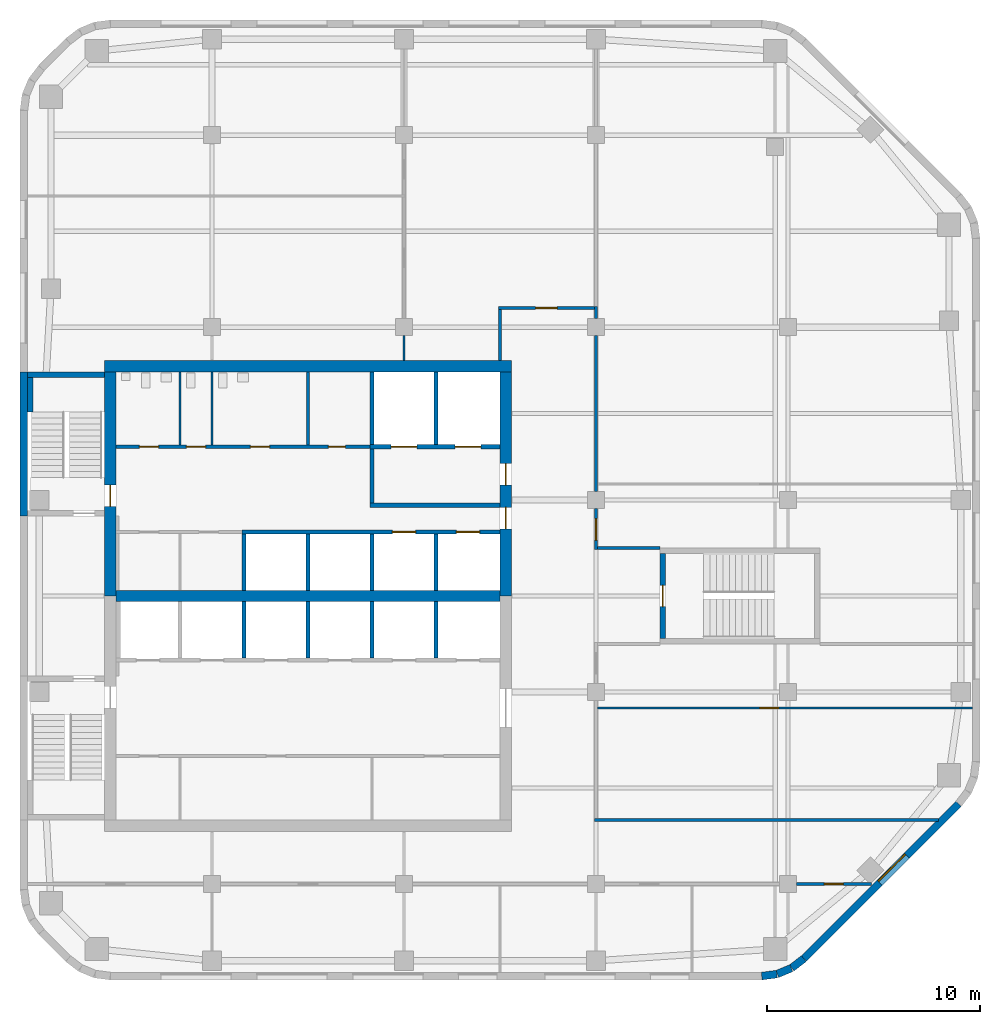
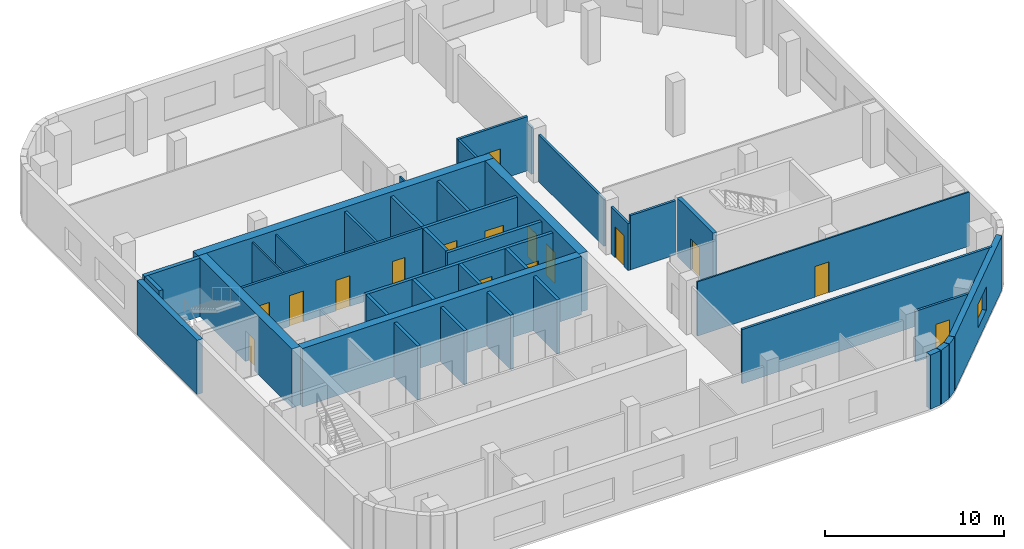
# One storey, part 4 of 8: 40 walls, 16 doors, 1 window, 17 openings.
"""IFC4 building model written with IfcOpenShell, lengths in metres."""

from ifc_helpers import new_model, si_unit, direction, frame, frame_2d, origin, place, context, subcontext, project, spatial, rectangle, extrude, material, layer, layer_set, type_object, element, fill, save


model = new_model("IFC4")

# Units and contexts
model_context = context("Model", 3, precision=1e-05, world=origin(), true_north=direction((0.0, 1.0)))
body_context = subcontext(model_context, "Body", "Model", "MODEL_VIEW")
ifc_project = project(units=[si_unit("LENGTHUNIT", "METRE"), si_unit("AREAUNIT", "SQUARE_METRE"), si_unit("VOLUMEUNIT", "CUBIC_METRE"), si_unit("PLANEANGLEUNIT", "RADIAN"), si_unit("MASSUNIT", "GRAM", prefix="KILO")], contexts=[model_context])

# Site, building, storey
site_placement = place(None, origin())
site = spatial("IfcSite", under=ifc_project, at=site_placement, CompositionType="ELEMENT")
building_placement = place(site_placement, origin())
building = spatial("IfcBuilding", under=site, at=building_placement, Name="Cinnabar Reach Civic Tower", CompositionType="ELEMENT")
storey_placement = place(building_placement, frame((0.0, 0.0, 238.0)))
storey = spatial("IfcBuildingStorey", under=building, at=storey_placement, Name="L57", CompositionType="ELEMENT", Elevation=238.0)

# Walls
ifc_material_1 = material(Name="Facing brick with insulated backing", Category="masonry")
ifc_layer_1 = layer(ifc_material_1, 0.36)
ifc_layer_set_1 = layer_set([ifc_layer_1], Name="Brick corner wall")
wall_type_1 = type_object("IfcWallType", Name="Brick corner wall", PredefinedType="STANDARD", material=ifc_layer_set_1)
for number, where, z_axis, x_axis, name in (
    (1, (34.7686, 13.683, 0.0), (0.0, 0.0, 1.0), (0.99144092581, 0.13055608231, 0.0), "Brick corner wall"),
    (2, (35.4973, 13.7819, 0.0), (0.0, 0.0, 1.0), (0.923871547278, 0.382702709855, 0.0), "Brick corner wall"),
):
    element("IfcWall", number, at=place(storey_placement, frame(where, z_axis=z_axis, x_axis=x_axis)), inside=storey, type_object=wall_type_1, Name=name, PredefinedType="STANDARD", context=body_context, shape_type="SweptSolid", body=[
        extrude(rectangle(XDim=0.7131, YDim=0.36, at=frame_2d((0.3565, 0.0))), origin(), (0.0, 0.0, 1.0), 3.7),
    ])
wall_1_placement = place(storey_placement, frame((36.1755, 14.066, 0.0), z_axis=(0.0, 0.0, 1.0), x_axis=(0.793321924995, 0.608802368033, 0.0)))
element("IfcWall", 3, at=wall_1_placement, inside=storey, type_object=wall_type_1, Name="Brick corner wall", PredefinedType="STANDARD", context=body_context, shape_type="SweptSolid", body=[
    extrude(rectangle(XDim=0.7132, YDim=0.36, at=frame_2d((0.3566, 0.0))), origin(), (0.0, 0.0, 1.0), 3.7),
])

# Wall, opening, window
ifc_layer_2 = layer(ifc_material_1, 0.36)
ifc_layer_set_2 = layer_set([ifc_layer_2], Name="Brick pier and spandrel wall")
wall_type_2 = type_object("IfcWallType", Name="Brick pier and spandrel wall", PredefinedType="STANDARD", material=ifc_layer_set_2)
wall_2_placement = place(storey_placement, frame((36.7514, 14.506, 0.0), z_axis=(0.0, 0.0, 1.0), x_axis=(0.707106781187, 0.707106781187, 0.0)))
wall_2 = element("IfcWall", 4, at=wall_2_placement, inside=storey, type_object=wall_type_2, Name="Brick facade wall", PredefinedType="STANDARD", context=body_context, shape_type="SweptSolid", body=[
    extrude(rectangle(XDim=10.2426, YDim=0.36, at=frame_2d((5.1213, 0.0))), origin(), (0.0, 0.0, 1.0), 3.7),
])
opening_1_placement = place(wall_2_placement, frame((5.0213, 0.0, 0.9)))
opening_1 = element("IfcOpeningElement", 5, at=opening_1_placement, cuts=wall_2, Name="Opening W2166", PredefinedType="OPENING", context=body_context, shape_type="SweptSolid", body=[
    extrude(rectangle(XDim=1.8, YDim=1.6, at=frame_2d((0.9, 0.8))), frame((0.0, 0.19, 0.0), z_axis=(0.0, -1.0, 0.0), x_axis=(1.0, 0.0, 0.0)), (0.0, 0.0, 1.0), 0.38),
])
ifc_material_2 = material(Name="Clear double glazing in aluminium frame", Category="aluminium")
window_type = type_object("IfcWindowType", Name="Deep-set window D", PartitioningType="SINGLE_PANEL", PredefinedType="WINDOW", material=ifc_material_2)
window_placement = place(opening_1_placement, origin())
window = element("IfcWindow", 6, at=window_placement, inside=storey, type_object=window_type, Name="Window southeast face", OverallHeight=1.6, OverallWidth=1.8, PartitioningType="SINGLE_PANEL", PredefinedType="WINDOW", context=body_context, shape_type="SweptSolid", body=[
    extrude(rectangle(XDim=1.8, YDim=1.6, at=frame_2d((0.9, 0.8))), frame((0.0, 0.13, 0.0), z_axis=(0.0, -1.0, 0.0), x_axis=(1.0, 0.0, 0.0)), (0.0, 0.0, 1.0), 0.06),
])
fill(opening_1, window)

# Walls
wall_3_placement = place(storey_placement, frame((0.18, 42.0, 0.0), z_axis=(0.0, 0.0, 1.0), x_axis=(0.0, -1.0, 0.0)))
element("IfcWall", 7, at=wall_3_placement, inside=storey, type_object=wall_type_2, Name="Brick facade wall", PredefinedType="STANDARD", context=body_context, shape_type="SweptSolid", body=[
    extrude(rectangle(XDim=6.75, YDim=0.36, at=frame_2d((3.375, 0.0))), origin(), (0.0, 0.0, 1.0), 3.7),
])
ifc_material_3 = material(Name="Concrete C60", Category="concrete")
ifc_layer_3 = layer(ifc_material_3, 0.5)
ifc_layer_set_3 = layer_set([ifc_layer_3], Name="Core wall 500 EI 180")
wall_type_3 = type_object("IfcWallType", Name="Core wall 500 EI 180", PredefinedType="SOLIDWALL", material=ifc_layer_set_3)
wall_4_placement = place(storey_placement, frame((4.5, 31.5, 0.0), z_axis=(0.0, 0.0, 1.0), x_axis=(1.0, 0.0, 0.0)))
element("IfcWall", 8, at=wall_4_placement, inside=storey, type_object=wall_type_3, Name="Core spine wall T1 L57", PredefinedType="SOLIDWALL", context=body_context, shape_type="SweptSolid", body=[
    extrude(rectangle(XDim=18.0, YDim=0.5, at=frame_2d((9.0, 0.0))), origin(), (0.0, 0.0, 1.0), 4.0),
])
ifc_layer_4 = layer(ifc_material_3, 0.55)
ifc_layer_set_4 = layer_set([ifc_layer_4], Name="Core wall 550 EI 180")
wall_type_4 = type_object("IfcWallType", Name="Core wall 550 EI 180", PredefinedType="SOLIDWALL", material=ifc_layer_set_4)
wall_5_placement = place(storey_placement, frame((23.05, 42.275, 0.0), z_axis=(0.0, 0.0, 1.0), x_axis=(-1.0, 0.0, 0.0)))
element("IfcWall", 9, at=wall_5_placement, inside=storey, type_object=wall_type_4, Name="Core wall T1 L57 N", PredefinedType="SOLIDWALL", context=body_context, shape_type="SweptSolid", body=[
    extrude(rectangle(XDim=19.1, YDim=0.55, at=frame_2d((9.55, 0.0))), origin(), (0.0, 0.0, 1.0), 4.0),
])

# Wall, openings, doors
wall_6_placement = place(storey_placement, frame((22.775, 31.5, 0.0), z_axis=(0.0, 0.0, 1.0), x_axis=(0.0, 1.0, 0.0)))
wall_6 = element("IfcWall", 10, at=wall_6_placement, inside=storey, type_object=wall_type_4, Name="Core wall T1 L57 E2", PredefinedType="SOLIDWALL", context=body_context, shape_type="SweptSolid", body=[
    extrude(rectangle(XDim=10.5, YDim=0.55, at=frame_2d((5.25, 0.0))), origin(), (0.0, 0.0, 1.0), 4.0),
])
opening_2_placement = place(wall_6_placement, frame((3.15, 0.0, 0.0)))
opening_2 = element("IfcOpeningElement", 11, at=opening_2_placement, cuts=wall_6, Name="Opening D5314", PredefinedType="OPENING", context=body_context, shape_type="SweptSolid", body=[
    extrude(rectangle(XDim=1.0, YDim=2.1, at=frame_2d((0.5, 1.05))), frame((0.0, 0.285, 0.0), z_axis=(0.0, -1.0, 0.0), x_axis=(1.0, 0.0, 0.0)), (0.0, 0.0, 1.0), 0.57),
])
opening_3_placement = place(wall_6_placement, frame((5.2, 0.0, 0.0)))
opening_3 = element("IfcOpeningElement", 12, at=opening_3_placement, cuts=wall_6, Name="Opening D5315", PredefinedType="OPENING", context=body_context, shape_type="SweptSolid", body=[
    extrude(rectangle(XDim=1.0, YDim=2.1, at=frame_2d((0.5, 1.05))), frame((0.0, 0.285, 0.0), z_axis=(0.0, -1.0, 0.0), x_axis=(1.0, 0.0, 0.0)), (0.0, 0.0, 1.0), 0.57),
])
ifc_material_4 = material(Name="Timber door leaf in steel frame", Category="steel")
door_type_1 = type_object("IfcDoorType", Name="Firefighting lobby door 1000 x 2100 T1", OperationType="SINGLE_SWING_LEFT", PredefinedType="DOOR", material=ifc_material_4)
door_1_placement = place(opening_3_placement, origin())
door_1 = element("IfcDoor", 13, at=door_1_placement, inside=storey, type_object=door_type_1, Name="Door D5315", OperationType="SINGLE_SWING_RIGHT", OverallHeight=2.1, OverallWidth=1.0, PredefinedType="DOOR", context=body_context, shape_type="SweptSolid", body=[
    extrude(rectangle(XDim=1.0, YDim=2.1, at=frame_2d((0.5, 1.05))), frame((0.0, 0.025, 0.0), z_axis=(0.0, -1.0, 0.0), x_axis=(1.0, 0.0, 0.0)), (0.0, 0.0, 1.0), 0.05),
])
fill(opening_3, door_1)
door_type_2 = type_object("IfcDoorType", Name="Single swing door 1000 x 2100 T1", OperationType="SINGLE_SWING_LEFT", PredefinedType="DOOR", material=ifc_material_4)
door_2_placement = place(opening_2_placement, origin())
door_2 = element("IfcDoor", 14, at=door_2_placement, inside=storey, type_object=door_type_2, Name="Door D5314", OperationType="SINGLE_SWING_RIGHT", OverallHeight=2.1, OverallWidth=1.0, PredefinedType="DOOR", context=body_context, shape_type="SweptSolid", body=[
    extrude(rectangle(XDim=1.0, YDim=2.1, at=frame_2d((0.5, 1.05))), frame((0.0, 0.025, 0.0), z_axis=(0.0, -1.0, 0.0), x_axis=(1.0, 0.0, 0.0)), (0.0, 0.0, 1.0), 0.05),
])
fill(opening_2, door_2)

# Wall, opening, door
wall_7_placement = place(storey_placement, frame((4.225, 42.0, 0.0), z_axis=(0.0, 0.0, 1.0), x_axis=(0.0, -1.0, 0.0)))
wall_7 = element("IfcWall", 15, at=wall_7_placement, inside=storey, type_object=wall_type_4, Name="Core wall T1 L57 W", PredefinedType="SOLIDWALL", context=body_context, shape_type="SweptSolid", body=[
    extrude(rectangle(XDim=10.5, YDim=0.55, at=frame_2d((5.25, 0.0))), origin(), (0.0, 0.0, 1.0), 4.0),
])
opening_4_placement = place(wall_7_placement, frame((5.3, 0.0, 0.0)))
opening_4 = element("IfcOpeningElement", 16, at=opening_4_placement, cuts=wall_7, Name="Opening D5301", PredefinedType="OPENING", context=body_context, shape_type="SweptSolid", body=[
    extrude(rectangle(XDim=1.0, YDim=2.1, at=frame_2d((0.5, 1.05))), frame((0.0, 0.285, 0.0), z_axis=(0.0, -1.0, 0.0), x_axis=(1.0, 0.0, 0.0)), (0.0, 0.0, 1.0), 0.57),
])
door_type_3 = type_object("IfcDoorType", Name="Stair door 1000 x 2100 T1", OperationType="SINGLE_SWING_LEFT", PredefinedType="DOOR", material=ifc_material_4)
door_3_placement = place(opening_4_placement, frame((1.0, 0.0, 0.0), z_axis=(0.0, 0.0, 1.0), x_axis=(-1.0, 0.0, 0.0)))
door_3 = element("IfcDoor", 17, at=door_3_placement, inside=storey, type_object=door_type_3, Name="Door D5301", OperationType="SINGLE_SWING_LEFT", OverallHeight=2.1, OverallWidth=1.0, PredefinedType="DOOR", context=body_context, shape_type="SweptSolid", body=[
    extrude(rectangle(XDim=1.0, YDim=2.1, at=frame_2d((0.5, 1.05))), frame((0.0, 0.025, 0.0), z_axis=(0.0, -1.0, 0.0), x_axis=(1.0, 0.0, 0.0)), (0.0, 0.0, 1.0), 0.05),
])
fill(opening_4, door_3)

ifc_material_5 = material(Name="Gypsum board on steel studs, double layer", Category="steel")
ifc_layer_5 = layer(ifc_material_5, 0.15)
ifc_layer_set_5 = layer_set([ifc_layer_5], Name="Corridor wall 150 T1")
wall_type_5 = type_object("IfcWallType", Name="Corridor wall 150 T1", PredefinedType="PARTITIONING", material=ifc_layer_set_5)
wall_8_placement = place(storey_placement, frame((36.4, 18.0, 0.0), z_axis=(0.0, 0.0, 1.0), x_axis=(1.0, 0.0, 0.0)))
wall_8 = element("IfcWall", 18, at=wall_8_placement, inside=storey, type_object=wall_type_5, Name="Corridor wall 18", PredefinedType="PARTITIONING", context=body_context, shape_type="SweptSolid", body=[
    extrude(rectangle(XDim=3.516, YDim=0.15, at=frame_2d((1.758, 0.0))), origin(), (0.0, 0.0, 1.0), 3.452),
])
opening_5_placement = place(wall_8_placement, frame((1.3, 0.0, 0.0)))
opening_5 = element("IfcOpeningElement", 19, at=opening_5_placement, cuts=wall_8, Name="Opening D5333", PredefinedType="OPENING", context=body_context, shape_type="SweptSolid", body=[
    extrude(rectangle(XDim=0.9, YDim=2.1, at=frame_2d((0.45, 1.05))), frame((0.0, 0.085, 0.0), z_axis=(0.0, -1.0, 0.0), x_axis=(1.0, 0.0, 0.0)), (0.0, 0.0, 1.0), 0.17),
])
door_type_4 = type_object("IfcDoorType", Name="Single swing door 900 x 2100 corridor T1", OperationType="SINGLE_SWING_LEFT", PredefinedType="DOOR", material=ifc_material_4)
door_4_placement = place(opening_5_placement, frame((0.9, 0.0, 0.0), z_axis=(0.0, 0.0, 1.0), x_axis=(-1.0, 0.0, 0.0)))
door_4 = element("IfcDoor", 20, at=door_4_placement, inside=storey, type_object=door_type_4, Name="Door D5333", OperationType="SINGLE_SWING_RIGHT", OverallHeight=2.1, OverallWidth=0.9, PredefinedType="DOOR", context=body_context, shape_type="SweptSolid", body=[
    extrude(rectangle(XDim=0.9, YDim=2.1, at=frame_2d((0.45, 1.05))), frame((0.0, 0.025, 0.0), z_axis=(0.0, -1.0, 0.0), x_axis=(1.0, 0.0, 0.0)), (0.0, 0.0, 1.0), 0.05),
])
fill(opening_5, door_4)

# Wall
wall_9_placement = place(storey_placement, frame((26.925, 21.0, 0.0), z_axis=(0.0, 0.0, 1.0), x_axis=(1.0, 0.0, 0.0)))
element("IfcWall", 21, at=wall_9_placement, inside=storey, type_object=wall_type_5, Name="Corridor wall 24", PredefinedType="PARTITIONING", context=body_context, shape_type="SweptSolid", body=[
    extrude(rectangle(XDim=16.1409, YDim=0.15, at=frame_2d((8.0704, 0.0))), origin(), (0.0, 0.0, 1.0), 3.7),
])

# Wall, openings, doors
wall_10_placement = place(storey_placement, frame((4.5, 38.5, 0.0), z_axis=(0.0, 0.0, 1.0), x_axis=(1.0, 0.0, 0.0)))
wall_10 = element("IfcWall", 22, at=wall_10_placement, inside=storey, type_object=wall_type_5, Name="Corridor wall 25", PredefinedType="PARTITIONING", context=body_context, shape_type="SweptSolid", body=[
    extrude(rectangle(XDim=11.9, YDim=0.15, at=frame_2d((5.95, 0.0))), origin(), (0.0, 0.0, 1.0), 3.7),
])
opening_6_placement = place(wall_10_placement, frame((1.1, 0.0, 0.0)))
opening_6 = element("IfcOpeningElement", 23, at=opening_6_placement, cuts=wall_10, Name="Opening D5322", PredefinedType="OPENING", context=body_context, shape_type="SweptSolid", body=[
    extrude(rectangle(XDim=0.9, YDim=2.1, at=frame_2d((0.45, 1.05))), frame((0.0, 0.085, 0.0), z_axis=(0.0, -1.0, 0.0), x_axis=(1.0, 0.0, 0.0)), (0.0, 0.0, 1.0), 0.17),
])
opening_7_placement = place(wall_10_placement, frame((3.3, 0.0, 0.0)))
opening_7 = element("IfcOpeningElement", 24, at=opening_7_placement, cuts=wall_10, Name="Opening D5323", PredefinedType="OPENING", context=body_context, shape_type="SweptSolid", body=[
    extrude(rectangle(XDim=0.9, YDim=2.1, at=frame_2d((0.45, 1.05))), frame((0.0, 0.085, 0.0), z_axis=(0.0, -1.0, 0.0), x_axis=(1.0, 0.0, 0.0)), (0.0, 0.0, 1.0), 0.17),
])
opening_8_placement = place(wall_10_placement, frame((6.3, 0.0, 0.0)))
opening_8 = element("IfcOpeningElement", 25, at=opening_8_placement, cuts=wall_10, Name="Opening D5324", PredefinedType="OPENING", context=body_context, shape_type="SweptSolid", body=[
    extrude(rectangle(XDim=0.9, YDim=2.1, at=frame_2d((0.45, 1.05))), frame((0.0, 0.085, 0.0), z_axis=(0.0, -1.0, 0.0), x_axis=(1.0, 0.0, 0.0)), (0.0, 0.0, 1.0), 0.17),
])
opening_9_placement = place(wall_10_placement, frame((9.95, 0.0, 0.0)))
opening_9 = element("IfcOpeningElement", 26, at=opening_9_placement, cuts=wall_10, Name="Opening D5325", PredefinedType="OPENING", context=body_context, shape_type="SweptSolid", body=[
    extrude(rectangle(XDim=0.8, YDim=2.1, at=frame_2d((0.4, 1.05))), frame((0.0, 0.085, 0.0), z_axis=(0.0, -1.0, 0.0), x_axis=(1.0, 0.0, 0.0)), (0.0, 0.0, 1.0), 0.17),
])
door_type_5 = type_object("IfcDoorType", Name="Riser access door 800 x 2100 T1", OperationType="SINGLE_SWING_LEFT", PredefinedType="DOOR", material=ifc_material_4)
door_5_placement = place(opening_9_placement, origin())
door_5 = element("IfcDoor", 27, at=door_5_placement, inside=storey, type_object=door_type_5, Name="Door D5325", OperationType="SINGLE_SWING_LEFT", OverallHeight=2.1, OverallWidth=0.8, PredefinedType="DOOR", context=body_context, shape_type="SweptSolid", body=[
    extrude(rectangle(XDim=0.8, YDim=2.1, at=frame_2d((0.4, 1.05))), frame((0.0, 0.025, 0.0), z_axis=(0.0, -1.0, 0.0), x_axis=(1.0, 0.0, 0.0)), (0.0, 0.0, 1.0), 0.05),
])
fill(opening_9, door_5)
door_6_placement = place(opening_6_placement, origin())
door_6 = element("IfcDoor", 28, at=door_6_placement, inside=storey, type_object=door_type_4, Name="Door D5322", OperationType="SINGLE_SWING_RIGHT", OverallHeight=2.1, OverallWidth=0.9, PredefinedType="DOOR", context=body_context, shape_type="SweptSolid", body=[
    extrude(rectangle(XDim=0.9, YDim=2.1, at=frame_2d((0.45, 1.05))), frame((0.0, 0.025, 0.0), z_axis=(0.0, -1.0, 0.0), x_axis=(1.0, 0.0, 0.0)), (0.0, 0.0, 1.0), 0.05),
])
fill(opening_6, door_6)
door_7_placement = place(opening_7_placement, origin())
door_7 = element("IfcDoor", 29, at=door_7_placement, inside=storey, type_object=door_type_4, Name="Door D5323", OperationType="SINGLE_SWING_RIGHT", OverallHeight=2.1, OverallWidth=0.9, PredefinedType="DOOR", context=body_context, shape_type="SweptSolid", body=[
    extrude(rectangle(XDim=0.9, YDim=2.1, at=frame_2d((0.45, 1.05))), frame((0.0, 0.025, 0.0), z_axis=(0.0, -1.0, 0.0), x_axis=(1.0, 0.0, 0.0)), (0.0, 0.0, 1.0), 0.05),
])
fill(opening_7, door_7)
door_8_placement = place(opening_8_placement, origin())
door_8 = element("IfcDoor", 30, at=door_8_placement, inside=storey, type_object=door_type_4, Name="Door D5324", OperationType="SINGLE_SWING_LEFT", OverallHeight=2.1, OverallWidth=0.9, PredefinedType="DOOR", context=body_context, shape_type="SweptSolid", body=[
    extrude(rectangle(XDim=0.9, YDim=2.1, at=frame_2d((0.45, 1.05))), frame((0.0, 0.025, 0.0), z_axis=(0.0, -1.0, 0.0), x_axis=(1.0, 0.0, 0.0)), (0.0, 0.0, 1.0), 0.05),
])
fill(opening_8, door_8)

# Wall, opening, door
wall_11_placement = place(storey_placement, frame((27.0, 33.675, 0.0), z_axis=(0.0, 0.0, 1.0), x_axis=(0.0, 1.0, 0.0)))
wall_11 = element("IfcWall", 31, at=wall_11_placement, inside=storey, type_object=wall_type_5, Name="Corridor wall 26", PredefinedType="PARTITIONING", context=body_context, shape_type="SweptSolid", body=[
    extrude(rectangle(XDim=1.925, YDim=0.15, at=frame_2d((0.9625, 0.0))), origin(), (0.0, 0.0, 1.0), 3.2),
])
opening_10_placement = place(wall_11_placement, frame((0.45, 0.0, 0.0)))
opening_10 = element("IfcOpeningElement", 32, at=opening_10_placement, cuts=wall_11, Name="Opening D5326", PredefinedType="OPENING", context=body_context, shape_type="SweptSolid", body=[
    extrude(rectangle(XDim=1.0, YDim=2.1, at=frame_2d((0.5, 1.05))), frame((0.0, 0.085, 0.0), z_axis=(0.0, -1.0, 0.0), x_axis=(1.0, 0.0, 0.0)), (0.0, 0.0, 1.0), 0.17),
])
door_type_6 = type_object("IfcDoorType", Name="Tenancy entrance door 1000 x 2100 T1", OperationType="SINGLE_SWING_LEFT", PredefinedType="DOOR", material=ifc_material_4)
door_9_placement = place(opening_10_placement, frame((1.0, 0.0, 0.0), z_axis=(0.0, 0.0, 1.0), x_axis=(-1.0, 0.0, 0.0)))
door_9 = element("IfcDoor", 33, at=door_9_placement, inside=storey, type_object=door_type_6, Name="Door D5326", OperationType="SINGLE_SWING_RIGHT", OverallHeight=2.1, OverallWidth=1.0, PredefinedType="DOOR", context=body_context, shape_type="SweptSolid", body=[
    extrude(rectangle(XDim=1.0, YDim=2.1, at=frame_2d((0.5, 1.05))), frame((0.0, 0.025, 0.0), z_axis=(0.0, -1.0, 0.0), x_axis=(1.0, 0.0, 0.0)), (0.0, 0.0, 1.0), 0.05),
])
fill(opening_10, door_9)

# Walls
wall_12_placement = place(storey_placement, frame((27.0, 36.4, 0.0), z_axis=(0.0, 0.0, 1.0), x_axis=(0.0, 1.0, 0.0)))
element("IfcWall", 34, at=wall_12_placement, inside=storey, type_object=wall_type_5, Name="Corridor wall 27", PredefinedType="PARTITIONING", context=body_context, shape_type="SweptSolid", body=[
    extrude(rectangle(XDim=7.3, YDim=0.15, at=frame_2d((3.65, 0.0))), origin(), (0.0, 0.0, 1.0), 3.2),
])
wall_13_placement = place(storey_placement, frame((27.0, 44.5, 0.0), z_axis=(0.0, 0.0, 1.0), x_axis=(0.0, 1.0, 0.0)))
element("IfcWall", 35, at=wall_13_placement, inside=storey, type_object=wall_type_5, Name="Corridor wall 28", PredefinedType="PARTITIONING", context=body_context, shape_type="SweptSolid", body=[
    extrude(rectangle(XDim=0.575, YDim=0.15, at=frame_2d((0.2875, 0.0))), origin(), (0.0, 0.0, 1.0), 3.2),
])

# Wall, opening, door
wall_14_placement = place(storey_placement, frame((22.425, 45.0, 0.0), z_axis=(0.0, 0.0, 1.0), x_axis=(1.0, 0.0, 0.0)))
wall_14 = element("IfcWall", 36, at=wall_14_placement, inside=storey, type_object=wall_type_5, Name="Corridor wall 32", PredefinedType="PARTITIONING", context=body_context, shape_type="SweptSolid", body=[
    extrude(rectangle(XDim=4.5, YDim=0.15, at=frame_2d((2.25, 0.0))), origin(), (0.0, 0.0, 1.0), 3.7),
])
opening_11_placement = place(wall_14_placement, frame((1.75, 0.0, 0.0)))
opening_11 = element("IfcOpeningElement", 37, at=opening_11_placement, cuts=wall_14, Name="Opening D5334", PredefinedType="OPENING", context=body_context, shape_type="SweptSolid", body=[
    extrude(rectangle(XDim=1.0, YDim=2.1, at=frame_2d((0.5, 1.05))), frame((0.0, 0.085, 0.0), z_axis=(0.0, -1.0, 0.0), x_axis=(1.0, 0.0, 0.0)), (0.0, 0.0, 1.0), 0.17),
])
door_10_placement = place(opening_11_placement, origin())
door_10 = element("IfcDoor", 38, at=door_10_placement, inside=storey, type_object=door_type_6, Name="Door D5334", OperationType="SINGLE_SWING_RIGHT", OverallHeight=2.1, OverallWidth=1.0, PredefinedType="DOOR", context=body_context, shape_type="SweptSolid", body=[
    extrude(rectangle(XDim=1.0, YDim=2.1, at=frame_2d((0.5, 1.05))), frame((0.0, 0.025, 0.0), z_axis=(0.0, -1.0, 0.0), x_axis=(1.0, 0.0, 0.0)), (0.0, 0.0, 1.0), 0.05),
])
fill(opening_11, door_10)

# Walls
wall_15_placement = place(storey_placement, frame((27.075, 33.75, 0.0), z_axis=(0.0, 0.0, 1.0), x_axis=(1.0, 0.0, 0.0)))
element("IfcWall", 39, at=wall_15_placement, inside=storey, type_object=wall_type_5, Name="Corridor wall 36", PredefinedType="PARTITIONING", context=body_context, shape_type="SweptSolid", body=[
    extrude(rectangle(XDim=2.925, YDim=0.15, at=frame_2d((1.4625, 0.0))), origin(), (0.0, 0.0, 1.0), 3.7),
])
wall_16_placement = place(storey_placement, frame((22.5, 42.55, 0.0), z_axis=(0.0, 0.0, 1.0), x_axis=(0.0, 1.0, 0.0)))
element("IfcWall", 40, at=wall_16_placement, inside=storey, type_object=wall_type_5, Name="Corridor wall 37", PredefinedType="PARTITIONING", context=body_context, shape_type="SweptSolid", body=[
    extrude(rectangle(XDim=2.375, YDim=0.15, at=frame_2d((1.1875, 0.0))), origin(), (0.0, 0.0, 1.0), 3.7),
])

# Wall, openings, doors
ifc_material_6 = material(Name="Blockwork", Category="masonry")
ifc_layer_6 = layer(ifc_material_6, 0.2)
ifc_layer_set_6 = layer_set([ifc_layer_6], Name="Lift shaft wall 200 T1")
wall_type_6 = type_object("IfcWallType", Name="Lift shaft wall 200 T1", PredefinedType="PARTITIONING", material=ifc_layer_set_6)
wall_17_placement = place(storey_placement, frame((10.4, 34.5, 0.0), z_axis=(0.0, 0.0, 1.0), x_axis=(1.0, 0.0, 0.0)))
wall_17 = element("IfcWall", 41, at=wall_17_placement, inside=storey, type_object=wall_type_6, Name="Lift shaft wall 5", PredefinedType="PARTITIONING", context=body_context, shape_type="SweptSolid", body=[
    extrude(rectangle(XDim=12.1, YDim=0.2, at=frame_2d((6.05, 0.0))), origin(), (0.0, 0.0, 1.0), 3.7),
])
opening_12_placement = place(wall_17_placement, frame((7.05, 0.0, 0.0)))
opening_12 = element("IfcOpeningElement", 42, at=opening_12_placement, cuts=wall_17, Name="Opening D5309", PredefinedType="OPENING", context=body_context, shape_type="SweptSolid", body=[
    extrude(rectangle(XDim=1.1, YDim=2.1, at=frame_2d((0.55, 1.05))), frame((0.0, 0.11, 0.0), z_axis=(0.0, -1.0, 0.0), x_axis=(1.0, 0.0, 0.0)), (0.0, 0.0, 1.0), 0.22),
])
opening_13_placement = place(wall_17_placement, frame((10.05, 0.0, 0.0)))
opening_13 = element("IfcOpeningElement", 43, at=opening_13_placement, cuts=wall_17, Name="Opening D5310", PredefinedType="OPENING", context=body_context, shape_type="SweptSolid", body=[
    extrude(rectangle(XDim=1.1, YDim=2.1, at=frame_2d((0.55, 1.05))), frame((0.0, 0.11, 0.0), z_axis=(0.0, -1.0, 0.0), x_axis=(1.0, 0.0, 0.0)), (0.0, 0.0, 1.0), 0.22),
])
ifc_material_7 = material(Name="Stainless steel sliding door", Category="steel")
door_type_7 = type_object("IfcDoorType", Name="Lift landing door 1100 x 2100 T1", OperationType="SLIDING_TO_LEFT", PredefinedType="DOOR", material=ifc_material_7)
door_11_placement = place(opening_12_placement, origin())
door_11 = element("IfcDoor", 44, at=door_11_placement, inside=storey, type_object=door_type_7, Name="Lift landing door SV1 L57", OperationType="SLIDING_TO_LEFT", OverallHeight=2.1, OverallWidth=1.1, PredefinedType="DOOR", context=body_context, shape_type="SweptSolid", body=[
    extrude(rectangle(XDim=1.1, YDim=2.1, at=frame_2d((0.55, 1.05))), frame((0.0, 0.025, 0.0), z_axis=(0.0, -1.0, 0.0), x_axis=(1.0, 0.0, 0.0)), (0.0, 0.0, 1.0), 0.05),
])
fill(opening_12, door_11)
door_12_placement = place(opening_13_placement, origin())
door_12 = element("IfcDoor", 45, at=door_12_placement, inside=storey, type_object=door_type_7, Name="Lift landing door SV2 L57", OperationType="SLIDING_TO_LEFT", OverallHeight=2.1, OverallWidth=1.1, PredefinedType="DOOR", context=body_context, shape_type="SweptSolid", body=[
    extrude(rectangle(XDim=1.1, YDim=2.1, at=frame_2d((0.55, 1.05))), frame((0.0, 0.025, 0.0), z_axis=(0.0, -1.0, 0.0), x_axis=(1.0, 0.0, 0.0)), (0.0, 0.0, 1.0), 0.05),
])
fill(opening_13, door_12)

# Walls
for number, where, z_axis, x_axis, name in (
    (46, (10.5, 28.6, 0.0), (0.0, 0.0, 1.0), (0.0, 1.0, 0.0), "Lift shaft wall 6"),
    (47, (10.5, 31.75, 0.0), (0.0, 0.0, 1.0), (0.0, 1.0, 0.0), "Lift shaft wall 7"),
    (48, (13.5, 28.6, 0.0), (0.0, 0.0, 1.0), (0.0, 1.0, 0.0), "Lift shaft wall 8"),
    (49, (13.5, 31.75, 0.0), (0.0, 0.0, 1.0), (0.0, 1.0, 0.0), "Lift shaft wall 9"),
    (50, (16.5, 28.6, 0.0), (0.0, 0.0, 1.0), (0.0, 1.0, 0.0), "Lift shaft wall 10"),
    (51, (16.5, 31.75, 0.0), (0.0, 0.0, 1.0), (0.0, 1.0, 0.0), "Lift shaft wall 11"),
    (52, (19.5, 28.6, 0.0), (0.0, 0.0, 1.0), (0.0, 1.0, 0.0), "Lift shaft wall 12"),
    (53, (19.5, 31.75, 0.0), (0.0, 0.0, 1.0), (0.0, 1.0, 0.0), "Lift shaft wall 13"),
):
    element("IfcWall", number, at=place(storey_placement, frame(where, z_axis=z_axis, x_axis=x_axis)), inside=storey, type_object=wall_type_6, Name=name, PredefinedType="PARTITIONING", context=body_context, shape_type="SweptSolid", body=[
        extrude(rectangle(XDim=2.65, YDim=0.2, at=frame_2d((1.325, 0.0))), origin(), (0.0, 0.0, 1.0), 3.7),
    ])
for number, where, z_axis, x_axis, name in (
    (54, (16.5, 38.6, 0.0), (0.0, 0.0, 1.0), (0.0, 1.0, 0.0), "Lift shaft wall 14"),
    (55, (19.5, 38.6, 0.0), (0.0, 0.0, 1.0), (0.0, 1.0, 0.0), "Lift shaft wall 15"),
):
    element("IfcWall", number, at=place(storey_placement, frame(where, z_axis=z_axis, x_axis=x_axis)), inside=storey, type_object=wall_type_6, Name=name, PredefinedType="PARTITIONING", context=body_context, shape_type="SweptSolid", body=[
        extrude(rectangle(XDim=3.4, YDim=0.2, at=frame_2d((1.7, 0.0))), origin(), (0.0, 0.0, 1.0), 3.7),
    ])

# Wall, opening, door
ifc_material_8 = material(Name="Gypsum board on steel studs", Category="steel")
ifc_layer_7 = layer(ifc_material_8, 0.1)
ifc_layer_set_7 = layer_set([ifc_layer_7], Name="Partition wall 100 T1")
wall_type_7 = type_object("IfcWallType", Name="Partition wall 100 T1", PredefinedType="PARTITIONING", material=ifc_layer_set_7)
wall_18_placement = place(storey_placement, frame((27.075, 26.25, 0.0), z_axis=(0.0, 0.0, 1.0), x_axis=(1.0, 0.0, 0.0)))
wall_18 = element("IfcWall", 56, at=wall_18_placement, inside=storey, type_object=wall_type_7, Name="Partition wall 43", PredefinedType="PARTITIONING", context=body_context, shape_type="SweptSolid", body=[
    extrude(rectangle(XDim=17.565, YDim=0.1, at=frame_2d((8.7825, 0.0))), origin(), (0.0, 0.0, 1.0), 3.7),
])
opening_14_placement = place(wall_18_placement, frame((7.6, 0.0, 0.0)))
opening_14 = element("IfcOpeningElement", 57, at=opening_14_placement, cuts=wall_18, Name="Opening D5329", PredefinedType="OPENING", context=body_context, shape_type="SweptSolid", body=[
    extrude(rectangle(XDim=0.9, YDim=2.1, at=frame_2d((0.45, 1.05))), frame((0.0, 0.06, 0.0), z_axis=(0.0, -1.0, 0.0), x_axis=(1.0, 0.0, 0.0)), (0.0, 0.0, 1.0), 0.12),
])
door_type_8 = type_object("IfcDoorType", Name="Single swing door 900 x 2100 T1", OperationType="SINGLE_SWING_LEFT", PredefinedType="DOOR", material=ifc_material_4)
door_13_placement = place(opening_14_placement, frame((0.9, 0.0, 0.0), z_axis=(0.0, 0.0, 1.0), x_axis=(-1.0, 0.0, 0.0)))
door_13 = element("IfcDoor", 58, at=door_13_placement, inside=storey, type_object=door_type_8, Name="Door D5329", OperationType="SINGLE_SWING_LEFT", OverallHeight=2.1, OverallWidth=0.9, PredefinedType="DOOR", context=body_context, shape_type="SweptSolid", body=[
    extrude(rectangle(XDim=0.9, YDim=2.1, at=frame_2d((0.45, 1.05))), frame((0.0, 0.025, 0.0), z_axis=(0.0, -1.0, 0.0), x_axis=(1.0, 0.0, 0.0)), (0.0, 0.0, 1.0), 0.05),
])
fill(opening_14, door_13)

# Walls
wall_19_placement = place(storey_placement, frame((18.0, 42.55, 0.0), z_axis=(0.0, 0.0, 1.0), x_axis=(0.0, 1.0, 0.0)))
element("IfcWall", 59, at=wall_19_placement, inside=storey, type_object=wall_type_7, Name="Partition wall 46", PredefinedType="PARTITIONING", context=body_context, shape_type="SweptSolid", body=[
    extrude(rectangle(XDim=1.15, YDim=0.1, at=frame_2d((0.575, 0.0))), origin(), (0.0, 0.0, 1.0), 3.502),
])
for number, where, z_axis, x_axis, name in (
    (60, (7.5, 38.575, 0.0), (0.0, 0.0, 1.0), (0.0, 1.0, 0.0), "Partition wall 53"),
    (61, (9.0, 38.575, 0.0), (0.0, 0.0, 1.0), (0.0, 1.0, 0.0), "Partition wall 54"),
):
    element("IfcWall", number, at=place(storey_placement, frame(where, z_axis=z_axis, x_axis=x_axis)), inside=storey, type_object=wall_type_7, Name=name, PredefinedType="PARTITIONING", context=body_context, shape_type="SweptSolid", body=[
        extrude(rectangle(XDim=3.425, YDim=0.1, at=frame_2d((1.7125, 0.0))), origin(), (0.0, 0.0, 1.0), 3.7),
    ])
ifc_material_9 = material(Name="Concrete C40", Category="concrete")
ifc_layer_8 = layer(ifc_material_9, 0.2)
ifc_layer_set_8 = layer_set([ifc_layer_8], Name="Refuge compartment wall 200 T1")
wall_type_8 = type_object("IfcWallType", Name="Refuge compartment wall 200 T1", PredefinedType="PARTITIONING", material=ifc_layer_set_8)
wall_20_placement = place(storey_placement, frame((16.4, 35.75, 0.0), z_axis=(0.0, 0.0, 1.0), x_axis=(1.0, 0.0, 0.0)))
element("IfcWall", 62, at=wall_20_placement, inside=storey, type_object=wall_type_8, Name="Refuge compartment wall 1", PredefinedType="PARTITIONING", context=body_context, shape_type="SweptSolid", body=[
    extrude(rectangle(XDim=6.1, YDim=0.2, at=frame_2d((3.05, 0.0))), origin(), (0.0, 0.0, 1.0), 3.7),
])

# Wall, openings, doors
wall_21_placement = place(storey_placement, frame((16.4, 38.5, 0.0), z_axis=(0.0, 0.0, 1.0), x_axis=(1.0, 0.0, 0.0)))
wall_21 = element("IfcWall", 63, at=wall_21_placement, inside=storey, type_object=wall_type_8, Name="Refuge compartment wall 2", PredefinedType="PARTITIONING", context=body_context, shape_type="SweptSolid", body=[
    extrude(rectangle(XDim=6.1, YDim=0.2, at=frame_2d((3.05, 0.0))), origin(), (0.0, 0.0, 1.0), 3.7),
])
opening_15_placement = place(wall_21_placement, frame((1.0, 0.0, 0.0)))
opening_15 = element("IfcOpeningElement", 64, at=opening_15_placement, cuts=wall_21, Name="Opening D5311", PredefinedType="OPENING", context=body_context, shape_type="SweptSolid", body=[
    extrude(rectangle(XDim=1.2, YDim=2.1, at=frame_2d((0.6, 1.05))), frame((0.0, 0.11, 0.0), z_axis=(0.0, -1.0, 0.0), x_axis=(1.0, 0.0, 0.0)), (0.0, 0.0, 1.0), 0.22),
])
opening_16_placement = place(wall_21_placement, frame((4.0, 0.0, 0.0)))
opening_16 = element("IfcOpeningElement", 65, at=opening_16_placement, cuts=wall_21, Name="Opening D5312", PredefinedType="OPENING", context=body_context, shape_type="SweptSolid", body=[
    extrude(rectangle(XDim=1.2, YDim=2.1, at=frame_2d((0.6, 1.05))), frame((0.0, 0.11, 0.0), z_axis=(0.0, -1.0, 0.0), x_axis=(1.0, 0.0, 0.0)), (0.0, 0.0, 1.0), 0.22),
])
door_type_9 = type_object("IfcDoorType", Name="Firefighting lift landing door 1200 x 2100 T1", OperationType="SLIDING_TO_LEFT", PredefinedType="DOOR", material=ifc_material_7)
door_14_placement = place(opening_15_placement, origin())
door_14 = element("IfcDoor", 66, at=door_14_placement, inside=storey, type_object=door_type_9, Name="Lift landing door FF1 L57", OperationType="SLIDING_TO_LEFT", OverallHeight=2.1, OverallWidth=1.2, PredefinedType="DOOR", context=body_context, shape_type="SweptSolid", body=[
    extrude(rectangle(XDim=1.2, YDim=2.1, at=frame_2d((0.6, 1.05))), frame((0.0, 0.025, 0.0), z_axis=(0.0, -1.0, 0.0), x_axis=(1.0, 0.0, 0.0)), (0.0, 0.0, 1.0), 0.05),
])
fill(opening_15, door_14)
door_15_placement = place(opening_16_placement, origin())
door_15 = element("IfcDoor", 67, at=door_15_placement, inside=storey, type_object=door_type_9, Name="Lift landing door FF2 L57", OperationType="SLIDING_TO_LEFT", OverallHeight=2.1, OverallWidth=1.2, PredefinedType="DOOR", context=body_context, shape_type="SweptSolid", body=[
    extrude(rectangle(XDim=1.2, YDim=2.1, at=frame_2d((0.6, 1.05))), frame((0.0, 0.025, 0.0), z_axis=(0.0, -1.0, 0.0), x_axis=(1.0, 0.0, 0.0)), (0.0, 0.0, 1.0), 0.05),
])
fill(opening_16, door_15)

# Walls
wall_22_placement = place(storey_placement, frame((16.5, 35.85, 0.0), z_axis=(0.0, 0.0, 1.0), x_axis=(0.0, 1.0, 0.0)))
element("IfcWall", 68, at=wall_22_placement, inside=storey, type_object=wall_type_8, Name="Refuge compartment wall 3", PredefinedType="PARTITIONING", context=body_context, shape_type="SweptSolid", body=[
    extrude(rectangle(XDim=2.55, YDim=0.2, at=frame_2d((1.275, 0.0))), origin(), (0.0, 0.0, 1.0), 3.7),
])
ifc_layer_9 = layer(ifc_material_6, 0.15)
ifc_layer_set_9 = layer_set([ifc_layer_9], Name="Riser wall 150 T1")
wall_type_9 = type_object("IfcWallType", Name="Riser wall 150 T1", PredefinedType="PARTITIONING", material=ifc_layer_set_9)
wall_23_placement = place(storey_placement, frame((13.5, 38.575, 0.0), z_axis=(0.0, 0.0, 1.0), x_axis=(0.0, 1.0, 0.0)))
element("IfcWall", 69, at=wall_23_placement, inside=storey, type_object=wall_type_9, Name="Riser wall 39", PredefinedType="PARTITIONING", context=body_context, shape_type="SweptSolid", body=[
    extrude(rectangle(XDim=3.425, YDim=0.15, at=frame_2d((1.7125, 0.0))), origin(), (0.0, 0.0, 1.0), 3.7),
])
ifc_layer_10 = layer(ifc_material_3, 0.25)
ifc_layer_set_10 = layer_set([ifc_layer_10], Name="Stair shaft wall 250 EI 120")
wall_type_10 = type_object("IfcWallType", Name="Stair shaft wall 250 EI 120", PredefinedType="SOLIDWALL", material=ifc_layer_set_10)
wall_24_placement = place(storey_placement, frame((3.95, 41.875, 0.0), z_axis=(0.0, 0.0, 1.0), x_axis=(-1.0, 0.0, 0.0)))
element("IfcWall", 70, at=wall_24_placement, inside=storey, type_object=wall_type_10, Name="Stair shaft wall T1-S2 L57", PredefinedType="SOLIDWALL", context=body_context, shape_type="SweptSolid", body=[
    extrude(rectangle(XDim=3.59, YDim=0.25, at=frame_2d((1.795, 0.0))), origin(), (0.0, 0.0, 1.0), 4.0),
])

# Wall, opening, door
wall_25_placement = place(storey_placement, frame((30.125, 33.5, 0.0), z_axis=(0.0, 0.0, 1.0), x_axis=(0.0, -1.0, 0.0)))
wall_25 = element("IfcWall", 71, at=wall_25_placement, inside=storey, type_object=wall_type_10, Name="Stair shaft wall T1-S3 L57", PredefinedType="SOLIDWALL", context=body_context, shape_type="SweptSolid", body=[
    extrude(rectangle(XDim=4.0, YDim=0.25, at=frame_2d((2.0, 0.0))), origin(), (0.0, 0.0, 1.0), 4.0),
])
opening_17_placement = place(wall_25_placement, frame((1.5, 0.0, 0.0)))
opening_17 = element("IfcOpeningElement", 72, at=opening_17_placement, cuts=wall_25, Name="Opening D5316", PredefinedType="OPENING", context=body_context, shape_type="SweptSolid", body=[
    extrude(rectangle(XDim=1.0, YDim=2.1, at=frame_2d((0.5, 1.05))), frame((0.0, 0.135, 0.0), z_axis=(0.0, -1.0, 0.0), x_axis=(1.0, 0.0, 0.0)), (0.0, 0.0, 1.0), 0.27),
])
door_16_placement = place(opening_17_placement, origin())
door_16 = element("IfcDoor", 73, at=door_16_placement, inside=storey, type_object=door_type_3, Name="Door D5316", OperationType="SINGLE_SWING_LEFT", OverallHeight=2.1, OverallWidth=1.0, PredefinedType="DOOR", context=body_context, shape_type="SweptSolid", body=[
    extrude(rectangle(XDim=1.0, YDim=2.1, at=frame_2d((0.5, 1.05))), frame((0.0, 0.025, 0.0), z_axis=(0.0, -1.0, 0.0), x_axis=(1.0, 0.0, 0.0)), (0.0, 0.0, 1.0), 0.05),
])
fill(opening_17, door_16)

# Wall
ifc_material_10 = material(Name="Concrete C40/50", Category="concrete")
ifc_layer_11 = layer(ifc_material_10, 0.24)
ifc_layer_set_11 = layer_set([ifc_layer_11], Name="T1 landing bearer wall 240")
wall_type_11 = type_object("IfcWallType", Name="T1 landing bearer wall 240", PredefinedType="STANDARD", material=ifc_layer_set_11)
wall_26_placement = place(storey_placement, frame((0.48, 40.13, 0.0), z_axis=(0.0, 0.0, 1.0), x_axis=(0.0, 1.0, 0.0)))
element("IfcWall", 74, at=wall_26_placement, inside=storey, type_object=wall_type_11, Name="T1-S2 landing bearer wall", PredefinedType="STANDARD", context=body_context, shape_type="SweptSolid", body=[
    extrude(rectangle(XDim=1.62, YDim=0.24, at=frame_2d((0.81, 0.0))), origin(), (0.0, 0.0, 1.0), 4.0),
])

save(model, "model.ifc")
